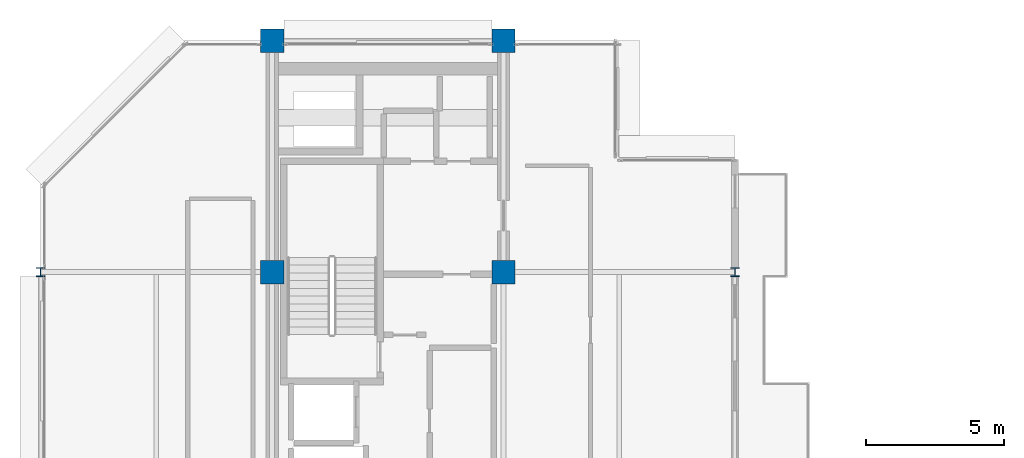
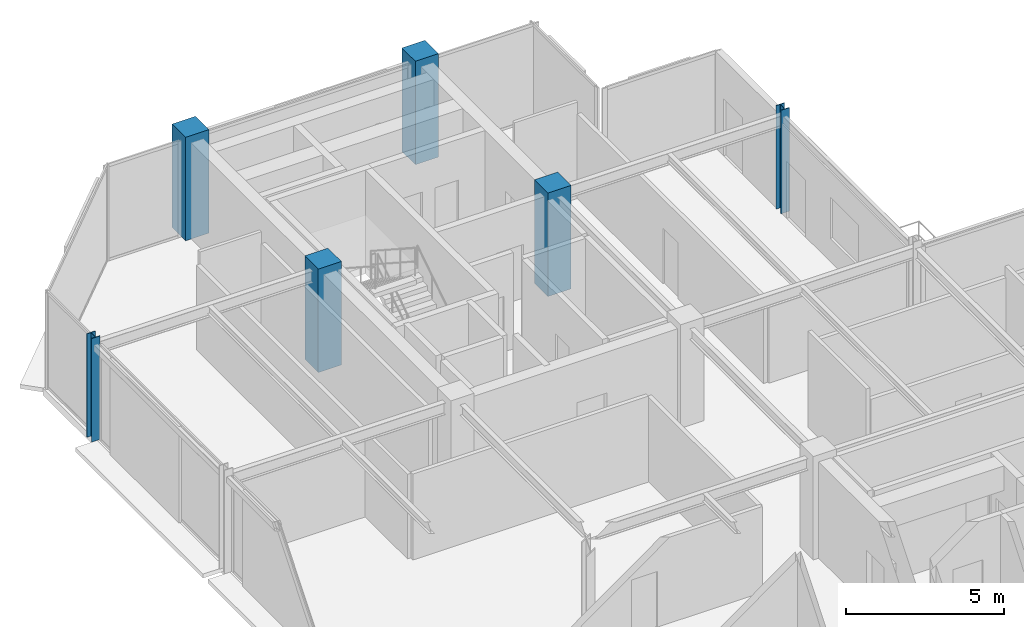
# One storey, part 2 of 27: 6 columns.
"""IFC4 building model written with IfcOpenShell, lengths in metres."""

from ifc_helpers import new_model, si_unit, direction, frame, origin, origin_2d, place, context, subcontext, project, spatial, rectangle, i_section, extrude, material, material_profile, profile_set, type_object, element, save


model = new_model("IFC4")

# Units and contexts
model_context = context("Model", 3, precision=1e-05, world=origin(), true_north=direction((0.0, 1.0)))
body_context = subcontext(model_context, "Body", "Model", "MODEL_VIEW")
ifc_project = project(units=[si_unit("LENGTHUNIT", "METRE"), si_unit("AREAUNIT", "SQUARE_METRE"), si_unit("VOLUMEUNIT", "CUBIC_METRE"), si_unit("PLANEANGLEUNIT", "RADIAN"), si_unit("MASSUNIT", "GRAM", prefix="KILO")], contexts=[model_context])

# Site, building, storey
site_placement = place(None, origin())
site = spatial("IfcSite", under=ifc_project, at=site_placement, CompositionType="ELEMENT")
building_placement = place(site_placement, origin())
building = spatial("IfcBuilding", under=site, at=building_placement, Name="Nerrivon Quay Data Exchange", CompositionType="ELEMENT")
storey_placement = place(building_placement, frame((0.0, 0.0, 266.199951171875)))
storey = spatial("IfcBuildingStorey", under=building, at=storey_placement, Name="L63", CompositionType="ELEMENT", Elevation=266.199951171875)

# Columns
ifc_material_1 = material(Name="Concrete N50 (50 MPa)", Category="concrete")
ifc_material_profile_1 = material_profile(ifc_material_1, rectangle(XDim=0.85009765625, YDim=0.85009765625, at=origin_2d()), Name="RC-COL-850x850")
ifc_profile_set_1 = profile_set([ifc_material_profile_1], Name="Concrete N50 (50 MPa)")
column_type_1 = type_object("IfcColumnType", Name="COL-C5-850", PredefinedType="COLUMN", material=ifc_profile_set_1)
for number, where, z_axis, x_axis, name in (
    (1, (8.39990234375, 33.60009765625, 0.0), (0.0, 0.0, 1.0), (1.0, 0.0, 0.0), "L63 Column (8.4,33.6)"),
    (2, (8.39990234375, 42.0, 0.0), (0.0, 0.0, 1.0), (1.0, 0.0, 0.0), "L63 Column (8.4,42.0)"),
    (3, (16.800048828125, 33.60009765625, 0.0), (0.0, 0.0, 1.0), (1.0, 0.0, 0.0), "L63 Column (16.8,33.6)"),
    (4, (16.800048828125, 42.0, 0.0), (0.0, 0.0, 1.0), (1.0, 0.0, 0.0), "L63 Column (16.8,42.0)"),
):
    element("IfcColumn", number, at=place(storey_placement, frame(where, z_axis=z_axis, x_axis=x_axis)), inside=storey, type_object=column_type_1, Name=name, PredefinedType="COLUMN", context=body_context, shape_type="SweptSolid", body=[
        extrude(rectangle(XDim=0.85009765625, YDim=0.85009765625, at=origin_2d()), origin(), (0.0, 0.0, 1.0), 4.0),
    ])
ifc_material_2 = material(Name="Steel Grade 350", Category="steel")
ifc_material_profile_2 = material_profile(ifc_material_2, i_section(OverallWidth=0.31103515625, OverallDepth=0.326904296875, WebThickness=0.015625, FlangeThickness=0.02490234375, FilletRadius=0.0166015625, at=origin_2d()), Name="310UC158")
ifc_profile_set_2 = profile_set([ifc_material_profile_2], Name="Steel Grade 350")
column_type_2 = type_object("IfcColumnType", Name="COL-SC4-310UC158", PredefinedType="COLUMN", material=ifc_profile_set_2)
for number, where, z_axis, x_axis, name in (
    (5, (0.0, 33.60009765625, 0.0), (0.0, 0.0, 1.0), (1.0, 0.0, 0.0), "L63 Column (0.0,33.6)"),
    (6, (25.199951171875, 33.60009765625, 0.0), (0.0, 0.0, 1.0), (1.0, 0.0, 0.0), "L63 Column (25.2,33.6)"),
):
    element("IfcColumn", number, at=place(storey_placement, frame(where, z_axis=z_axis, x_axis=x_axis)), inside=storey, type_object=column_type_2, Name=name, PredefinedType="COLUMN", context=body_context, shape_type="SweptSolid", body=[
        extrude(i_section(OverallWidth=0.31103515625, OverallDepth=0.326904296875, WebThickness=0.015625, FlangeThickness=0.02490234375, FilletRadius=0.0166015625, at=origin_2d()), origin(), (0.0, 0.0, 1.0), 4.0),
    ])

save(model, "model.ifc")
